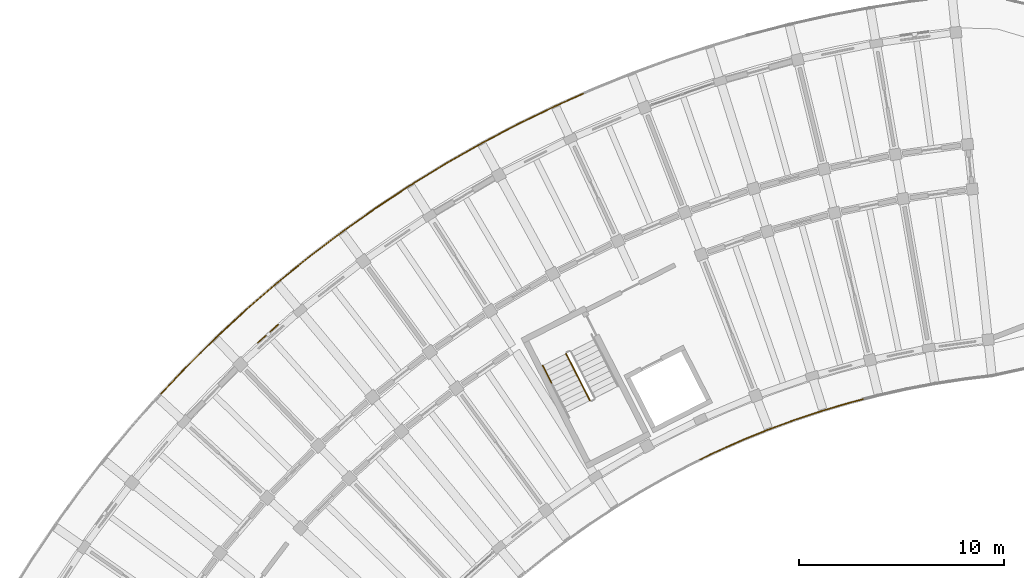
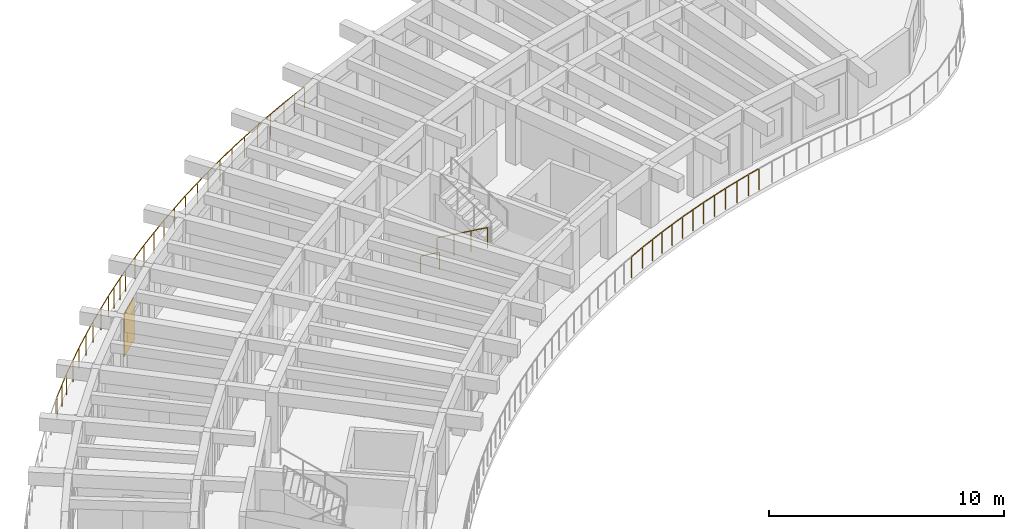
# One storey, part 68 of 78: 6 railings, 1 shading device.
"""IFC4 building model written with IfcOpenShell, lengths in metres."""

from ifc_helpers import new_model, si_unit, direction, frame, origin, origin_2d, place, context, subcontext, project, spatial, rectangle, circle, extrude, material, layer, layer_set, type_object, element, save


model = new_model("IFC4")

# Units and contexts
model_context = context("Model", 3, precision=1e-05, world=origin(), true_north=direction((0.0, 1.0)))
body_context = subcontext(model_context, "Body", "Model", "MODEL_VIEW")
ifc_project = project(units=[si_unit("LENGTHUNIT", "METRE"), si_unit("AREAUNIT", "SQUARE_METRE"), si_unit("VOLUMEUNIT", "CUBIC_METRE"), si_unit("PLANEANGLEUNIT", "RADIAN"), si_unit("MASSUNIT", "GRAM", prefix="KILO")], contexts=[model_context])

# Site, building, storey
site_placement = place(None, origin())
site = spatial("IfcSite", under=ifc_project, at=site_placement, CompositionType="ELEMENT")
building_placement = place(site_placement, origin())
building = spatial("IfcBuilding", under=site, at=building_placement, Name="Tanwirah Colonnade Gardens", CompositionType="ELEMENT")
storey_placement = place(building_placement, frame((0.0, 0.0, 22.280029296875)))
storey = spatial("IfcBuildingStorey", under=building, at=storey_placement, Name="L06", CompositionType="ELEMENT", Elevation=22.280029296875)

# Railings
ifc_material_1 = material(Name="Precast concrete C40/50", Category="concrete")
railing_type_1 = type_object("IfcRailingType", Name="BAL-EXT112", PredefinedType="BALUSTRADE", material=ifc_material_1)
railing_1_placement = place(storey_placement, frame((54.236083984375, 101.494384765625, 0.0)))
element("IfcRailing", 1, at=railing_1_placement, inside=storey, type_object=railing_type_1, Name="Block A L06 Balcony Ribbon Balustrade 2", PredefinedType="BALUSTRADE", context=body_context, shape_type="SweptSolid", body=[
    extrude(circle(Radius=0.02392578125, at=origin_2d()), frame((-0.0302734375, -0.0078125, 1.09619140625), z_axis=(-0.968166647099, -0.250306499006, 0.0), x_axis=(0.250306499006, -0.968166647099, 0.0)), (0.0, 0.0, 1.0), 0.557861328125),
    extrude(circle(Radius=0.02392578125, at=origin_2d()), frame((-0.63330078125, -0.164794921875, 1.09619140625), z_axis=(-0.959362733044, -0.282175736812, 0.0), x_axis=(0.282175736812, -0.959362733044, 0.0)), (0.0, 0.0, 1.0), 1.341796875),
    extrude(circle(Radius=0.02392578125, at=origin_2d()), frame((-1.98291015625, -0.562744140625, 1.09619140625), z_axis=(-0.949531842797, -0.313670654533, 0.0), x_axis=(0.313670654533, -0.949531842797, 0.0)), (0.0, 0.0, 1.0), 1.341552734375),
    extrude(circle(Radius=0.02392578125, at=origin_2d()), frame((-3.318359375, -1.005126953125, 1.09619140625), z_axis=(-0.93868698515, -0.344770567059, 0.0), x_axis=(0.344770567059, -0.93868698515, 0.0)), (0.0, 0.0, 1.0), 1.341796875),
    extrude(circle(Radius=0.02392578125, at=origin_2d()), frame((-4.638671875, -1.4912109375, 1.09619140625), z_axis=(-0.92683738147, -0.375463005247, 0.0), x_axis=(0.375463005247, -0.92683738147, 0.0)), (0.0, 0.0, 1.0), 1.342041015625),
    extrude(circle(Radius=0.02392578125, at=origin_2d()), frame((-5.942138671875, -2.0205078125, 1.09619140625), z_axis=(-0.913997826773, -0.40571908096, 0.0), x_axis=(0.40571908096, -0.913997826773, 0.0)), (0.0, 0.0, 1.0), 1.342041015625),
    extrude(circle(Radius=0.02392578125, at=origin_2d()), frame((-7.2275390625, -2.592529296875, 1.09619140625), z_axis=(-0.900038195948, -0.435811020783, 0.0), x_axis=(0.435811020783, -0.900038195948, 0.0)), (0.0, 0.0, 1.0), 0.779541015625),
    extrude(circle(Radius=0.02099609375, at=origin_2d()), origin(), (0.0, 0.0, 1.0), 1.069091796875),
    extrude(circle(Radius=0.02099609375, at=origin_2d()), frame((-0.6005859375, -0.1552734375, 0.0)), (0.0, 0.0, 1.0), 1.069091796875),
    extrude(circle(Radius=0.02099609375, at=origin_2d()), frame((-1.27685546875, -0.35400390625, 0.0)), (0.0, 0.0, 1.0), 1.069091796875),
    extrude(circle(Radius=0.02099609375, at=origin_2d()), frame((-1.950439453125, -0.55224609375, 0.0)), (0.0, 0.0, 1.0), 1.069091796875),
    extrude(circle(Radius=0.02099609375, at=origin_2d()), frame((-2.61962890625, -0.773193359375, 0.0)), (0.0, 0.0, 1.0), 1.069091796875),
    extrude(circle(Radius=0.02099609375, at=origin_2d()), frame((-3.286376953125, -0.993408203125, 0.0)), (0.0, 0.0, 1.0), 1.069091796875),
    extrude(circle(Radius=0.02099609375, at=origin_2d()), frame((-3.9482421875, -1.236328125, 0.0)), (0.0, 0.0, 1.0), 1.069091796875),
    extrude(circle(Radius=0.02099609375, at=origin_2d()), frame((-4.607177734375, -1.478515625, 0.0)), (0.0, 0.0, 1.0), 1.069091796875),
    extrude(circle(Radius=0.02099609375, at=origin_2d()), frame((-5.260498046875, -1.7431640625, 0.0)), (0.0, 0.0, 1.0), 1.069091796875),
    extrude(circle(Radius=0.02099609375, at=origin_2d()), frame((-5.911376953125, -2.0068359375, 0.0)), (0.0, 0.0, 1.0), 1.069091796875),
    extrude(circle(Radius=0.02099609375, at=origin_2d()), frame((-6.555419921875, -2.292724609375, 0.0)), (0.0, 0.0, 1.0), 1.069091796875),
    extrude(circle(Radius=0.02099609375, at=origin_2d()), frame((-7.197265625, -2.57763671875, 0.0)), (0.0, 0.0, 1.0), 1.069091796875),
    extrude(circle(Radius=0.02099609375, at=origin_2d()), frame((-7.957275390625, -2.94580078125, 0.0)), (0.0, 0.0, 1.0), 1.069091796875),
])
railing_2_placement = place(storey_placement, frame((19.91796875, 101.760986328125, 0.0)))
element("IfcRailing", 2, at=railing_2_placement, inside=storey, type_object=railing_type_1, Name="Block A L06 Balcony Ribbon Balustrade 14", PredefinedType="BALUSTRADE", context=body_context, shape_type="SweptSolid", body=[
    extrude(circle(Radius=0.02392578125, at=origin_2d()), frame((0.021484375, 0.022705078125, 1.09619140625), z_axis=(0.686974448696, 0.726681571831, 0.0), x_axis=(-0.726681571831, 0.686974448696, 0.0)), (0.0, 0.0, 1.0), 1.71435546875),
    extrude(circle(Radius=0.02392578125, at=origin_2d()), frame((1.242919921875, 1.313232421875, 1.09619140625), z_axis=(0.710480209462, 0.703717181801, 0.0), x_axis=(-0.703717181801, 0.710480209462, 0.0)), (0.0, 0.0, 1.0), 1.958984375),
    extrude(circle(Radius=0.02392578125, at=origin_2d()), frame((2.679931640625, 2.735107421875, 1.09619140625), z_axis=(0.733352454033, 0.679848643569, 0.0), x_axis=(-0.679848643569, 0.733352454033, 0.0)), (0.0, 0.0, 1.0), 1.958984375),
    extrude(circle(Radius=0.02392578125, at=origin_2d()), frame((4.1630859375, 4.108642578125, 1.09619140625), z_axis=(0.755338292497, 0.655335077565, 0.0), x_axis=(-0.655335077565, 0.755338292497, 0.0)), (0.0, 0.0, 1.0), 1.958984375),
    extrude(circle(Radius=0.02392578125, at=origin_2d()), frame((5.6904296875, 5.4326171875, 1.09619140625), z_axis=(0.776510659425, 0.630104115047, 0.0), x_axis=(-0.630104115047, 0.776510659425, 0.0)), (0.0, 0.0, 1.0), 0.59619140625),
    extrude(circle(Radius=0.02099609375, at=origin_2d()), origin(), (0.0, 0.0, 1.0), 1.069091796875),
    extrude(circle(Radius=0.02099609375, at=origin_2d()), frame((0.6103515625, 0.6455078125, 0.0)), (0.0, 0.0, 1.0), 1.069091796875),
    extrude(circle(Radius=0.02099609375, at=origin_2d()), frame((1.220703125, 1.291259765625, 0.0)), (0.0, 0.0, 1.0), 1.069091796875),
    extrude(circle(Radius=0.02099609375, at=origin_2d()), frame((1.93896484375, 2.00244140625, 0.0)), (0.0, 0.0, 1.0), 1.069091796875),
    extrude(circle(Radius=0.02099609375, at=origin_2d()), frame((2.656982421875, 2.7138671875, 0.0)), (0.0, 0.0, 1.0), 1.069091796875),
    extrude(circle(Radius=0.02099609375, at=origin_2d()), frame((3.398193359375, 3.40087890625, 0.0)), (0.0, 0.0, 1.0), 1.069091796875),
    extrude(circle(Radius=0.02099609375, at=origin_2d()), frame((4.139404296875, 4.088134765625, 0.0)), (0.0, 0.0, 1.0), 1.069091796875),
    extrude(circle(Radius=0.02099609375, at=origin_2d()), frame((4.90283203125, 4.75048828125, 0.0)), (0.0, 0.0, 1.0), 1.069091796875),
    extrude(circle(Radius=0.02099609375, at=origin_2d()), frame((5.666259765625, 5.412841796875, 0.0)), (0.0, 0.0, 1.0), 1.069091796875),
    extrude(circle(Radius=0.02099609375, at=origin_2d()), frame((6.177734375, 5.827880859375, 0.0)), (0.0, 0.0, 1.0), 1.069091796875),
])
railing_3_placement = place(storey_placement, frame((26.095703125, 107.5888671875, 0.0)))
element("IfcRailing", 3, at=railing_3_placement, inside=storey, type_object=railing_type_1, Name="Block A L06 Balcony Ribbon Balustrade 15", PredefinedType="BALUSTRADE", context=body_context, shape_type="SweptSolid", body=[
    extrude(circle(Radius=0.02392578125, at=origin_2d()), frame((0.024169921875, 0.019775390625, 1.09619140625), z_axis=(0.776568601174, 0.630032703652, 0.0), x_axis=(-0.630032703652, 0.776568601174, 0.0)), (0.0, 0.0, 1.0), 1.30029296875),
    extrude(circle(Radius=0.02392578125, at=origin_2d()), frame((1.083251953125, 0.87744140625, 1.09619140625), z_axis=(0.796887753746, 0.604127393792, 0.0), x_axis=(-0.604127393792, 0.796887753746, 0.0)), (0.0, 0.0, 1.0), 1.958984375),
    extrude(circle(Radius=0.02392578125, at=origin_2d()), frame((2.69482421875, 2.097900390625, 1.09619140625), z_axis=(0.816344803849, 0.577564854565, 0.0), x_axis=(-0.577564854565, 0.816344803849, 0.0)), (0.0, 0.0, 1.0), 1.958740234375),
    extrude(circle(Radius=0.02392578125, at=origin_2d()), frame((4.345458984375, 3.264404296875, 1.09619140625), z_axis=(0.834955682369, 0.550317188973, 0.0), x_axis=(-0.550317188973, 0.834955682369, 0.0)), (0.0, 0.0, 1.0), 1.959228515625),
    extrude(circle(Radius=0.02392578125, at=origin_2d()), frame((6.033935546875, 4.376220703125, 1.09619140625), z_axis=(0.852594710096, 0.522572732082, 0.0), x_axis=(-0.522572732082, 0.852594710096, 0.0)), (0.0, 0.0, 1.0), 1.01025390625),
    extrude(circle(Radius=0.02099609375, at=origin_2d()), origin(), (0.0, 0.0, 1.0), 1.069091796875),
    extrude(circle(Radius=0.02099609375, at=origin_2d()), frame((0.529296875, 0.42919921875, 0.0)), (0.0, 0.0, 1.0), 1.069091796875),
    extrude(circle(Radius=0.02099609375, at=origin_2d()), frame((1.058349609375, 0.858642578125, 0.0)), (0.0, 0.0, 1.0), 1.069091796875),
    extrude(circle(Radius=0.02099609375, at=origin_2d()), frame((1.86376953125, 1.46923828125, 0.0)), (0.0, 0.0, 1.0), 1.069091796875),
    extrude(circle(Radius=0.02099609375, at=origin_2d()), frame((2.669189453125, 2.079833984375, 0.0)), (0.0, 0.0, 1.0), 1.069091796875),
    extrude(circle(Radius=0.02099609375, at=origin_2d()), frame((3.494140625, 2.66357421875, 0.0)), (0.0, 0.0, 1.0), 1.069091796875),
    extrude(circle(Radius=0.02099609375, at=origin_2d()), frame((4.3193359375, 3.247314453125, 0.0)), (0.0, 0.0, 1.0), 1.069091796875),
    extrude(circle(Radius=0.02099609375, at=origin_2d()), frame((5.163330078125, 3.8037109375, 0.0)), (0.0, 0.0, 1.0), 1.069091796875),
    extrude(circle(Radius=0.02099609375, at=origin_2d()), frame((6.00732421875, 4.35986328125, 0.0)), (0.0, 0.0, 1.0), 1.069091796875),
    extrude(circle(Radius=0.02099609375, at=origin_2d()), frame((6.921875, 4.92041015625, 0.0)), (0.0, 0.0, 1.0), 1.069091796875),
])
railing_4_placement = place(storey_placement, frame((33.017578125, 112.50927734375, 0.0)))
element("IfcRailing", 4, at=railing_4_placement, inside=storey, type_object=railing_type_1, Name="Block A L06 Balcony Ribbon Balustrade 16", PredefinedType="BALUSTRADE", context=body_context, shape_type="SweptSolid", body=[
    extrude(circle(Radius=0.02392578125, at=origin_2d()), frame((0.026611328125, 0.016357421875, 1.09619140625), z_axis=(0.852734357798, 0.522344823877, 0.0), x_axis=(-0.522344823877, 0.852734357798, 0.0)), (0.0, 0.0, 1.0), 0.88623046875),
    extrude(circle(Radius=0.02392578125, at=origin_2d()), frame((0.836181640625, 0.510986328125, 1.09619140625), z_axis=(0.869392881113, 0.494121461049, 0.0), x_axis=(-0.494121461049, 0.869392881113, 0.0)), (0.0, 0.0, 1.0), 1.958740234375),
    extrude(circle(Radius=0.02392578125, at=origin_2d()), frame((2.593994140625, 1.509033203125, 1.09619140625), z_axis=(0.885211446817, 0.465188880374, 0.0), x_axis=(-0.465188880374, 0.885211446817, 0.0)), (0.0, 0.0, 1.0), 1.958984375),
    extrude(circle(Radius=0.02392578125, at=origin_2d()), frame((4.384033203125, 2.448486328125, 1.09619140625), z_axis=(0.900055350621, 0.435775591122, 0.0), x_axis=(-0.435775591122, 0.900055350621, 0.0)), (0.0, 0.0, 1.0), 1.958740234375),
    extrude(circle(Radius=0.02392578125, at=origin_2d()), frame((6.203857421875, 3.328369140625, 1.09619140625), z_axis=(0.913919852198, 0.405894695406, 0.0), x_axis=(-0.405894695406, 0.913919852198, 0.0)), (0.0, 0.0, 1.0), 1.42431640625),
    extrude(circle(Radius=0.02099609375, at=origin_2d()), origin(), (0.0, 0.0, 1.0), 1.069091796875),
    extrude(circle(Radius=0.02099609375, at=origin_2d()), frame((0.80908203125, 0.49560546875, 0.0)), (0.0, 0.0, 1.0), 1.069091796875),
    extrude(circle(Radius=0.02099609375, at=origin_2d()), frame((1.687744140625, 0.9951171875, 0.0)), (0.0, 0.0, 1.0), 1.069091796875),
    extrude(circle(Radius=0.02099609375, at=origin_2d()), frame((2.56640625, 1.494384765625, 0.0)), (0.0, 0.0, 1.0), 1.069091796875),
    extrude(circle(Radius=0.02099609375, at=origin_2d()), frame((3.461181640625, 1.964599609375, 0.0)), (0.0, 0.0, 1.0), 1.069091796875),
    extrude(circle(Radius=0.02099609375, at=origin_2d()), frame((4.35595703125, 2.434814453125, 0.0)), (0.0, 0.0, 1.0), 1.069091796875),
    extrude(circle(Radius=0.02099609375, at=origin_2d()), frame((5.265625, 2.875244140625, 0.0)), (0.0, 0.0, 1.0), 1.069091796875),
    extrude(circle(Radius=0.02099609375, at=origin_2d()), frame((6.17529296875, 3.315673828125, 0.0)), (0.0, 0.0, 1.0), 1.069091796875),
    extrude(circle(Radius=0.02099609375, at=origin_2d()), frame((6.854736328125, 3.617431640625, 0.0)), (0.0, 0.0, 1.0), 1.069091796875),
    extrude(circle(Radius=0.02099609375, at=origin_2d()), frame((7.5341796875, 3.919189453125, 0.0)), (0.0, 0.0, 1.0), 1.069091796875),
])
ifc_material_2 = material(Name="Powder-coated galvanized steel", Category="steel")
railing_type_2 = type_object("IfcRailingType", Name="GRD-ST110", PredefinedType="GUARDRAIL", material=ifc_material_2)
railing_5_placement = place(storey_placement, frame((39.718994140625, 103.715576171875, 0.16796875)))
element("IfcRailing", 5, at=railing_5_placement, inside=storey, type_object=railing_type_2, Name="L06 ST-A1 stair guard 1", PredefinedType="GUARDRAIL", context=body_context, shape_type="SweptSolid", body=[
    extrude(circle(Radius=0.02392578125, at=origin_2d()), frame((0.01220703125, -0.02392578125, 1.092041015625), z_axis=(0.391052831089, -0.767591854021, 0.507819287678), x_axis=(0.891032232724, 0.453940040365, 0.0)), (0.0, 0.0, 1.0), 2.914794921875),
    extrude(circle(Radius=0.02099609375, at=origin_2d()), origin(), (0.0, 0.0, 1.0), 1.049072265625),
    extrude(circle(Radius=0.02099609375, at=origin_2d()), frame((0.38818359375, -0.76171875, 0.50390625)), (0.0, 0.0, 1.0), 1.049072265625),
    extrude(circle(Radius=0.02099609375, at=origin_2d()), frame((0.776123046875, -1.523681640625, 1.008056640625)), (0.0, 0.0, 1.0), 1.049072265625),
    extrude(circle(Radius=0.02099609375, at=origin_2d()), frame((1.164306640625, -2.285400390625, 1.511962890625)), (0.0, 0.0, 1.0), 1.049072265625),
])
ifc_material_3 = material(Name="Brushed bronze stainless steel", Category="steel")
railing_type_3 = type_object("IfcRailingType", Name="HR-ST090", PredefinedType="HANDRAIL", material=ifc_material_3)
railing_6_placement = place(storey_placement, frame((38.578369140625, 103.134521484375, 0.16796875)))
element("IfcRailing", 6, at=railing_6_placement, inside=storey, type_object=railing_type_3, Name="L06 ST-A1 stair handrail 1", PredefinedType="HANDRAIL", context=body_context, shape_type="SweptSolid", body=[
    extrude(circle(Radius=0.02392578125, at=origin_2d()), frame((0.01220703125, -0.02392578125, 0.891845703125), z_axis=(0.390051618152, -0.765534245474, 0.511680617361), x_axis=(0.891010084603, 0.453983511965, 0.0)), (0.0, 0.0, 1.0), 1.04345703125),
    extrude(circle(Radius=0.02099609375, at=origin_2d()), origin(), (0.0, 0.0, 1.0), 0.848876953125),
    extrude(circle(Radius=0.02099609375, at=origin_2d()), frame((0.431396484375, -0.8466796875, 0.56591796875)), (0.0, 0.0, 1.0), 0.848876953125),
])

# Shading device
ifc_material_4 = material(Name="Perforated architectural bronze aluminium", Category="aluminium")
ifc_layer = layer(ifc_material_4, 0.044921875)
ifc_layer_set = layer_set([ifc_layer], Name="Perforated architectural bronze aluminium")
shading_device_type = type_object("IfcShadingDeviceType", Name="SHD-MSH1", PredefinedType="JALOUSIE", material=ifc_layer_set)
shading_device_placement = place(storey_placement, frame((25.147216796875, 104.69775390625, 0.0), z_axis=(0.0, 0.0, 1.0), x_axis=(-0.744443246346, -0.667685744172, 0.0)))
element("IfcShadingDevice", 7, at=shading_device_placement, inside=storey, type_object=shading_device_type, Name="Bronze mashrabiya solar screen A-L06-09", PredefinedType="JALOUSIE", context=body_context, shape_type="SweptSolid", body=[
    extrude(rectangle(XDim=1.35009765625, YDim=0.044921875, at=origin_2d()), origin(), (0.0, 0.0, 1.0), 2.235107421875),
])

save(model, "model.ifc")
